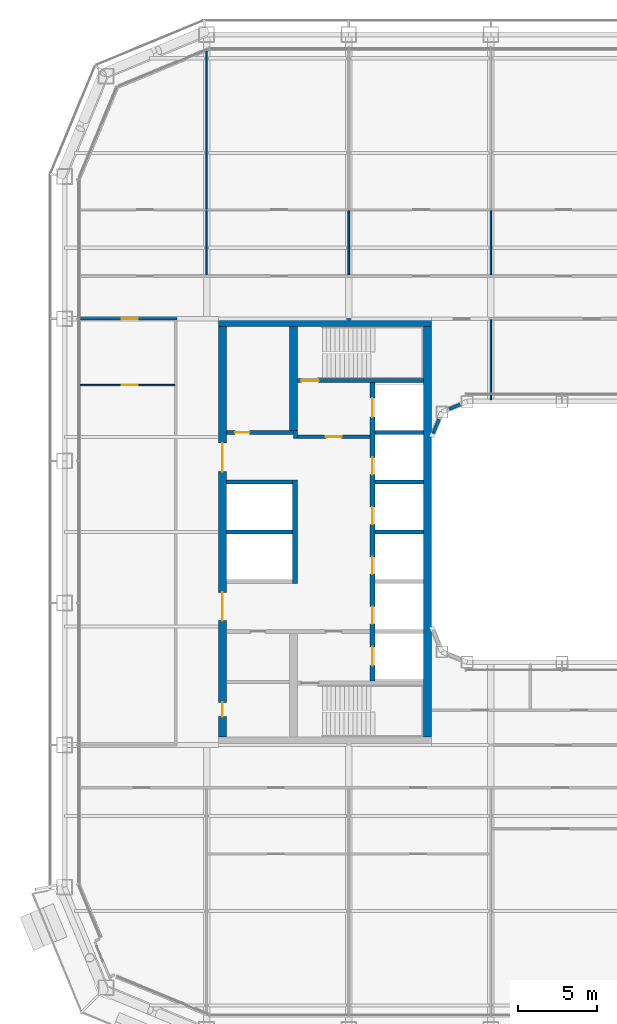
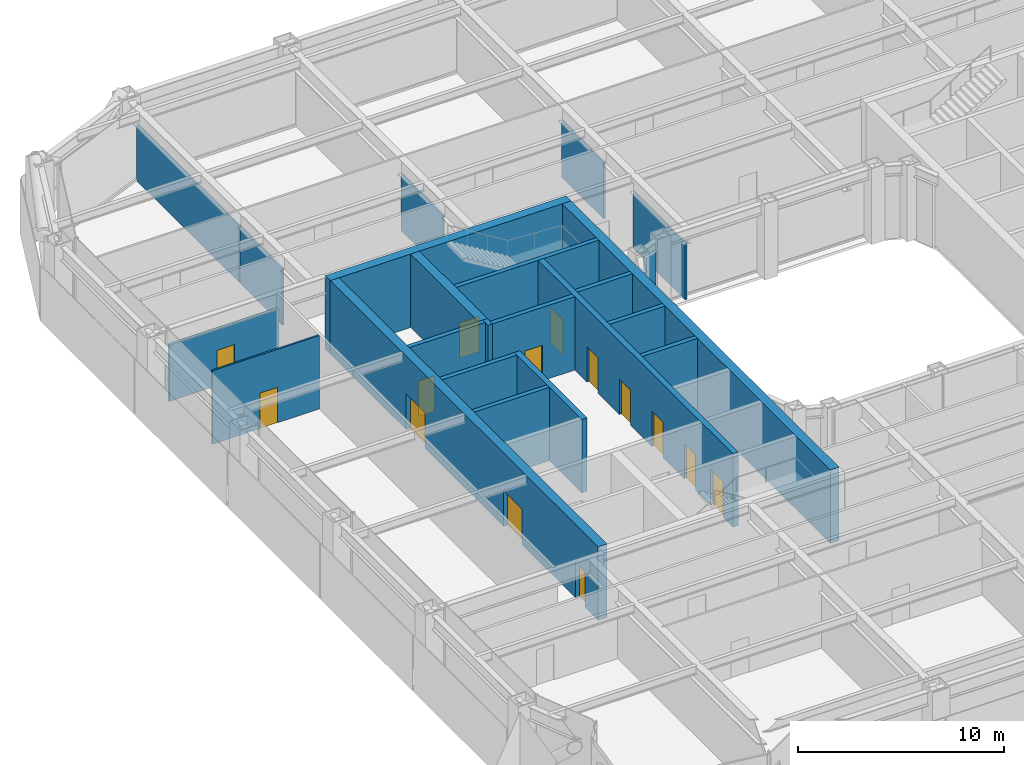
# One storey, part 15 of 27: 24 walls, 14 doors, 14 openings.
"""IFC4 building model written with IfcOpenShell, lengths in metres."""

from ifc_helpers import new_model, si_unit, direction, frame, frame_2d, origin, place, context, subcontext, project, spatial, rectangle, extrude, material, layer, layer_set, type_object, element, fill, save


model = new_model("IFC4")

# Units and contexts
model_context = context("Model", 3, precision=1e-05, world=origin(), true_north=direction((0.0, 1.0)))
body_context = subcontext(model_context, "Body", "Model", "MODEL_VIEW")
ifc_project = project(units=[si_unit("LENGTHUNIT", "METRE"), si_unit("AREAUNIT", "SQUARE_METRE"), si_unit("VOLUMEUNIT", "CUBIC_METRE"), si_unit("PLANEANGLEUNIT", "RADIAN"), si_unit("MASSUNIT", "GRAM", prefix="KILO")], contexts=[model_context])

# Site, building, storey
site_placement = place(None, origin())
site = spatial("IfcSite", under=ifc_project, at=site_placement, CompositionType="ELEMENT")
building_placement = place(site_placement, origin())
building = spatial("IfcBuilding", under=site, at=building_placement, Name="Siwar Civic Tower", CompositionType="ELEMENT")
storey_placement = place(building_placement, frame((0.0, 0.0, 71.699951171875)))
storey = spatial("IfcBuildingStorey", under=building, at=storey_placement, Name="L15", CompositionType="ELEMENT", Elevation=71.699951171875)

# Wall, opening, door
ifc_material_1 = material(Name="Concrete C60/75", Category="concrete")
ifc_layer_1 = layer(ifc_material_1, 0.25)
ifc_layer_set_1 = layer_set([ifc_layer_1], Name="Concrete C60/75")
wall_type_1 = type_object("IfcWallType", Name="CORE-WALL-RC250", PredefinedType="SHEAR", material=ifc_layer_set_1)
wall_1_placement = place(storey_placement, frame((-12.14990234375, 6.02490234375, 0.0), z_axis=(0.0, 0.0, 1.0), x_axis=(-1.0, 0.0, 0.0)))
wall_1 = element("IfcWall", 1, at=wall_1_placement, inside=storey, type_object=wall_type_1, Name="Core wall W", PredefinedType="SHEAR", context=body_context, shape_type="SweptSolid", body=[
    extrude(rectangle(XDim=4.60009765625, YDim=0.25, at=frame_2d((2.300048828125, 0.0))), origin(), (0.0, 0.0, 1.0), 4.35009765625),
])
opening_1_placement = place(wall_1_placement, frame((1.800048828125, 0.0, 0.0)))
opening_1 = element("IfcOpeningElement", 2, at=opening_1_placement, cuts=wall_1, Name="Opening L15-CW01", PredefinedType="OPENING", context=body_context, shape_type="SweptSolid", body=[
    extrude(rectangle(XDim=1.0, YDim=2.10009765625, at=frame_2d((0.5, 1.050048828125))), frame((0.0, 0.135009765625, 0.0), z_axis=(0.0, -1.0, 0.0), x_axis=(1.0, 0.0, 0.0)), (0.0, 0.0, 1.0), 0.27001953125),
])
ifc_material_2 = material(Name="Steel door leaf", Category="steel")
door_type_1 = type_object("IfcDoorType", Name="CORE-DOOR-FD30S", OperationType="SINGLE_SWING_LEFT", PredefinedType="DOOR", material=ifc_material_2)
door_1_placement = place(opening_1_placement, origin())
door_1 = element("IfcDoor", 3, at=door_1_placement, inside=storey, type_object=door_type_1, Name="Firefighting lobby door L15-CW01", OperationType="SINGLE_SWING_LEFT", OverallHeight=2.10009765625, OverallWidth=1.0, PredefinedType="DOOR", context=body_context, shape_type="SweptSolid", body=[
    extrude(rectangle(XDim=1.0, YDim=2.10009765625, at=frame_2d((0.5, 1.050048828125))), frame((0.0, 0.02490234375, 0.0), z_axis=(0.0, -1.0, 0.0), x_axis=(1.0, 0.0, 0.0)), (0.0, 0.0, 1.0), 0.050048828125),
])
fill(opening_1, door_1)

# Wall
wall_2_placement = place(storey_placement, frame((-16.875, 5.89990234375, 0.0), z_axis=(0.0, 0.0, 1.0), x_axis=(0.0, 1.0, 0.0)))
element("IfcWall", 4, at=wall_2_placement, inside=storey, type_object=wall_type_1, Name="Core wall W", PredefinedType="SHEAR", context=body_context, shape_type="SweptSolid", body=[
    extrude(rectangle(XDim=0.525146484375, YDim=0.25, at=frame_2d((0.2626953125, 0.0))), origin(), (0.0, 0.0, 1.0), 4.35009765625),
])

# Wall, opening, door
wall_3_placement = place(storey_placement, frame((-17.0, 6.300048828125, 0.0), z_axis=(0.0, 0.0, 1.0), x_axis=(-1.0, 0.0, 0.0)))
wall_3 = element("IfcWall", 5, at=wall_3_placement, inside=storey, type_object=wall_type_1, Name="Core wall W", PredefinedType="SHEAR", context=body_context, shape_type="SweptSolid", body=[
    extrude(rectangle(XDim=4.25, YDim=0.25, at=frame_2d((2.125, 0.0))), origin(), (0.0, 0.0, 1.0), 4.35009765625),
])
opening_2_placement = place(wall_3_placement, frame((2.800048828125, 0.0, 0.0)))
opening_2 = element("IfcOpeningElement", 6, at=opening_2_placement, cuts=wall_3, Name="Opening L15-CW13", PredefinedType="OPENING", context=body_context, shape_type="SweptSolid", body=[
    extrude(rectangle(XDim=0.89990234375, YDim=2.10009765625, at=frame_2d((0.449951171875, 1.050048828125))), frame((0.0, 0.135009765625, 0.0), z_axis=(0.0, -1.0, 0.0), x_axis=(1.0, 0.0, 0.0)), (0.0, 0.0, 1.0), 0.27001953125),
])
ifc_material_3 = material(Name="Steel door leaf", Category="steel")
door_type_2 = type_object("IfcDoorType", Name="CORE-DOOR-ROOM", OperationType="SINGLE_SWING_LEFT", PredefinedType="DOOR", material=ifc_material_3)
door_2_placement = place(opening_2_placement, origin())
door_2 = element("IfcDoor", 7, at=door_2_placement, inside=storey, type_object=door_type_2, Name="Core room door L15-CW13", OperationType="SINGLE_SWING_RIGHT", OverallHeight=2.10009765625, OverallWidth=0.89990234375, PredefinedType="DOOR", context=body_context, shape_type="SweptSolid", body=[
    extrude(rectangle(XDim=0.89990234375, YDim=2.10009765625, at=frame_2d((0.449951171875, 1.050048828125))), frame((0.0, 0.02490234375, 0.0), z_axis=(0.0, -1.0, 0.0), x_axis=(1.0, 0.0, 0.0)), (0.0, 0.0, 1.0), 0.050048828125),
])
fill(opening_2, door_2)

# Walls
for number, where, z_axis, x_axis, name in (
    (8, (-17.050048828125, 0.0, 0.0), (0.0, 0.0, 1.0), (-1.0, 0.0, 0.0), "Core wall W"),
    (9, (-17.050048828125, 3.14990234375, 0.0), (0.0, 0.0, 1.0), (-1.0, 0.0, 0.0), "Core wall W"),
):
    element("IfcWall", number, at=place(storey_placement, frame(where, z_axis=z_axis, x_axis=x_axis)), inside=storey, type_object=wall_type_1, Name=name, PredefinedType="SHEAR", context=body_context, shape_type="SweptSolid", body=[
        extrude(rectangle(XDim=4.199951171875, YDim=0.25, at=frame_2d((2.10009765625, 0.0))), origin(), (0.0, 0.0, 1.0), 4.35009765625),
    ])
for number, where, z_axis, x_axis, name in (
    (10, (-8.75, 0.0, 0.0), (0.0, 0.0, 1.0), (-1.0, 0.0, 0.0), "Core wall W"),
    (11, (-8.75, 3.14990234375, 0.0), (0.0, 0.0, 1.0), (-1.0, 0.0, 0.0), "Core wall W"),
    (12, (-8.75, 6.300048828125, 0.0), (0.0, 0.0, 1.0), (-1.0, 0.0, 0.0), "Core wall W"),
):
    element("IfcWall", number, at=place(storey_placement, frame(where, z_axis=z_axis, x_axis=x_axis)), inside=storey, type_object=wall_type_1, Name=name, PredefinedType="SHEAR", context=body_context, shape_type="SweptSolid", body=[
        extrude(rectangle(XDim=3.10009765625, YDim=0.25, at=frame_2d((1.550048828125, 0.0))), origin(), (0.0, 0.0, 1.0), 4.35009765625),
    ])

# Wall, opening, door
wall_4_placement = place(storey_placement, frame((-8.75, 9.574951171875, 0.0), z_axis=(0.0, 0.0, 1.0), x_axis=(-1.0, 0.0, 0.0)))
wall_4 = element("IfcWall", 13, at=wall_4_placement, inside=storey, type_object=wall_type_1, Name="Core wall W", PredefinedType="SHEAR", context=body_context, shape_type="SweptSolid", body=[
    extrude(rectangle(XDim=8.0, YDim=0.25, at=frame_2d((4.0, 0.0))), origin(), (0.0, 0.0, 1.0), 4.35009765625),
])
opening_3_placement = place(wall_4_placement, frame((6.64990234375, 0.0, 0.0)))
opening_3 = element("IfcOpeningElement", 14, at=opening_3_placement, cuts=wall_4, Name="Opening L15-CW03", PredefinedType="OPENING", context=body_context, shape_type="SweptSolid", body=[
    extrude(rectangle(XDim=1.10009765625, YDim=2.10009765625, at=frame_2d((0.550048828125, 1.050048828125))), frame((0.0, 0.135009765625, 0.0), z_axis=(0.0, -1.0, 0.0), x_axis=(1.0, 0.0, 0.0)), (0.0, 0.0, 1.0), 0.27001953125),
])
ifc_material_4 = material(Name="Steel door leaf", Category="steel")
door_type_3 = type_object("IfcDoorType", Name="CORE-DOOR-FD60S", OperationType="SINGLE_SWING_LEFT", PredefinedType="DOOR", material=ifc_material_4)
door_3_placement = place(opening_3_placement, origin())
door_3 = element("IfcDoor", 15, at=door_3_placement, inside=storey, type_object=door_type_3, Name="Stair door L15-CW03", OperationType="SINGLE_SWING_RIGHT", OverallHeight=2.10009765625, OverallWidth=1.10009765625, PredefinedType="DOOR", context=body_context, shape_type="SweptSolid", body=[
    extrude(rectangle(XDim=1.10009765625, YDim=2.10009765625, at=frame_2d((0.550048828125, 1.050048828125))), frame((0.0, 0.02490234375, 0.0), z_axis=(0.0, -1.0, 0.0), x_axis=(1.0, 0.0, 0.0)), (0.0, 0.0, 1.0), 0.050048828125),
])
fill(opening_3, door_3)

# Wall, openings, doors
ifc_material_5 = material(Name="Concrete C60/75", Category="concrete")
ifc_layer_2 = layer(ifc_material_5, 0.300048828125)
ifc_layer_set_2 = layer_set([ifc_layer_2], Name="Concrete C60/75")
wall_type_2 = type_object("IfcWallType", Name="CORE-WALL-RC300", PredefinedType="SHEAR", material=ifc_layer_set_2)
wall_5_placement = place(storey_placement, frame((-12.0, -9.449951171875, 0.0), z_axis=(0.0, 0.0, 1.0), x_axis=(0.0, 1.0, 0.0)))
wall_5 = element("IfcWall", 16, at=wall_5_placement, inside=storey, type_object=wall_type_2, Name="Core wall W", PredefinedType="SHEAR", context=body_context, shape_type="SweptSolid", body=[
    extrude(rectangle(XDim=18.89990234375, YDim=0.300048828125, at=frame_2d((9.449951171875, 0.0))), origin(), (0.0, 0.0, 1.0), 4.35009765625),
])
opening_4_placement = place(wall_5_placement, frame((3.625, 0.0, 0.0)))
opening_4 = element("IfcOpeningElement", 17, at=opening_4_placement, cuts=wall_5, Name="Opening L15-CW07", PredefinedType="OPENING", context=body_context, shape_type="SweptSolid", body=[
    extrude(rectangle(XDim=1.10009765625, YDim=2.10009765625, at=frame_2d((0.550048828125, 1.050048828125))), frame((0.0, 0.16015625, 0.0), z_axis=(0.0, -1.0, 0.0), x_axis=(1.0, 0.0, 0.0)), (0.0, 0.0, 1.0), 0.320068359375),
])
opening_5_placement = place(wall_5_placement, frame((6.77490234375, 0.0, 0.0)))
opening_5 = element("IfcOpeningElement", 18, at=opening_5_placement, cuts=wall_5, Name="Opening L15-CW08", PredefinedType="OPENING", context=body_context, shape_type="SweptSolid", body=[
    extrude(rectangle(XDim=1.10009765625, YDim=2.10009765625, at=frame_2d((0.550048828125, 1.050048828125))), frame((0.0, 0.16015625, 0.0), z_axis=(0.0, -1.0, 0.0), x_axis=(1.0, 0.0, 0.0)), (0.0, 0.0, 1.0), 0.320068359375),
])
opening_6_placement = place(wall_5_placement, frame((9.925048828125, 0.0, 0.0)))
opening_6 = element("IfcOpeningElement", 19, at=opening_6_placement, cuts=wall_5, Name="Opening L15-CW09", PredefinedType="OPENING", context=body_context, shape_type="SweptSolid", body=[
    extrude(rectangle(XDim=1.10009765625, YDim=2.10009765625, at=frame_2d((0.550048828125, 1.050048828125))), frame((0.0, 0.16015625, 0.0), z_axis=(0.0, -1.0, 0.0), x_axis=(1.0, 0.0, 0.0)), (0.0, 0.0, 1.0), 0.320068359375),
])
opening_7_placement = place(wall_5_placement, frame((13.074951171875, 0.0, 0.0)))
opening_7 = element("IfcOpeningElement", 20, at=opening_7_placement, cuts=wall_5, Name="Opening L15-CW10", PredefinedType="OPENING", context=body_context, shape_type="SweptSolid", body=[
    extrude(rectangle(XDim=1.10009765625, YDim=2.10009765625, at=frame_2d((0.550048828125, 1.050048828125))), frame((0.0, 0.16015625, 0.0), z_axis=(0.0, -1.0, 0.0), x_axis=(1.0, 0.0, 0.0)), (0.0, 0.0, 1.0), 0.320068359375),
])
opening_8_placement = place(wall_5_placement, frame((16.72509765625, 0.0, 0.0)))
opening_8 = element("IfcOpeningElement", 21, at=opening_8_placement, cuts=wall_5, Name="Opening L15-CW11", PredefinedType="OPENING", context=body_context, shape_type="SweptSolid", body=[
    extrude(rectangle(XDim=1.199951171875, YDim=2.10009765625, at=frame_2d((0.60009765625, 1.050048828125))), frame((0.0, 0.16015625, 0.0), z_axis=(0.0, -1.0, 0.0), x_axis=(1.0, 0.0, 0.0)), (0.0, 0.0, 1.0), 0.320068359375),
])
opening_9_placement = place(wall_5_placement, frame((0.97509765625, 0.0, 0.0)))
opening_9 = element("IfcOpeningElement", 22, at=opening_9_placement, cuts=wall_5, Name="Opening L15-CW12", PredefinedType="OPENING", context=body_context, shape_type="SweptSolid", body=[
    extrude(rectangle(XDim=1.199951171875, YDim=2.10009765625, at=frame_2d((0.60009765625, 1.050048828125))), frame((0.0, 0.16015625, 0.0), z_axis=(0.0, -1.0, 0.0), x_axis=(1.0, 0.0, 0.0)), (0.0, 0.0, 1.0), 0.320068359375),
])
ifc_material_6 = material(Name="Steel door leaf", Category="steel")
door_type_4 = type_object("IfcDoorType", Name="CORE-DOOR-LD", OperationType="DOUBLE_DOOR_SLIDING", PredefinedType="DOOR", material=ifc_material_6)
door_4_placement = place(opening_4_placement, origin())
door_4 = element("IfcDoor", 23, at=door_4_placement, inside=storey, type_object=door_type_4, Name="Landing door LR1 L15-CW07", OperationType="DOUBLE_DOOR_SLIDING", OverallHeight=2.10009765625, OverallWidth=1.10009765625, PredefinedType="DOOR", context=body_context, shape_type="SweptSolid", body=[
    extrude(rectangle(XDim=1.10009765625, YDim=2.10009765625, at=frame_2d((0.550048828125, 1.050048828125))), frame((0.0, 0.02490234375, 0.0), z_axis=(0.0, -1.0, 0.0), x_axis=(1.0, 0.0, 0.0)), (0.0, 0.0, 1.0), 0.050048828125),
])
fill(opening_4, door_4)
door_5_placement = place(opening_5_placement, origin())
door_5 = element("IfcDoor", 24, at=door_5_placement, inside=storey, type_object=door_type_4, Name="Landing door LR2 L15-CW08", OperationType="DOUBLE_DOOR_SLIDING", OverallHeight=2.10009765625, OverallWidth=1.10009765625, PredefinedType="DOOR", context=body_context, shape_type="SweptSolid", body=[
    extrude(rectangle(XDim=1.10009765625, YDim=2.10009765625, at=frame_2d((0.550048828125, 1.050048828125))), frame((0.0, 0.02490234375, 0.0), z_axis=(0.0, -1.0, 0.0), x_axis=(1.0, 0.0, 0.0)), (0.0, 0.0, 1.0), 0.050048828125),
])
fill(opening_5, door_5)
door_6_placement = place(opening_6_placement, origin())
door_6 = element("IfcDoor", 25, at=door_6_placement, inside=storey, type_object=door_type_4, Name="Landing door LR3 L15-CW09", OperationType="DOUBLE_DOOR_SLIDING", OverallHeight=2.10009765625, OverallWidth=1.10009765625, PredefinedType="DOOR", context=body_context, shape_type="SweptSolid", body=[
    extrude(rectangle(XDim=1.10009765625, YDim=2.10009765625, at=frame_2d((0.550048828125, 1.050048828125))), frame((0.0, 0.02490234375, 0.0), z_axis=(0.0, -1.0, 0.0), x_axis=(1.0, 0.0, 0.0)), (0.0, 0.0, 1.0), 0.050048828125),
])
fill(opening_6, door_6)
door_7_placement = place(opening_7_placement, origin())
door_7 = element("IfcDoor", 26, at=door_7_placement, inside=storey, type_object=door_type_4, Name="Landing door LR4 L15-CW10", OperationType="DOUBLE_DOOR_SLIDING", OverallHeight=2.10009765625, OverallWidth=1.10009765625, PredefinedType="DOOR", context=body_context, shape_type="SweptSolid", body=[
    extrude(rectangle(XDim=1.10009765625, YDim=2.10009765625, at=frame_2d((0.550048828125, 1.050048828125))), frame((0.0, 0.02490234375, 0.0), z_axis=(0.0, -1.0, 0.0), x_axis=(1.0, 0.0, 0.0)), (0.0, 0.0, 1.0), 0.050048828125),
])
fill(opening_7, door_7)
ifc_material_7 = material(Name="Steel door leaf", Category="steel")
door_type_5 = type_object("IfcDoorType", Name="CORE-DOOR-LDW", OperationType="DOUBLE_DOOR_SLIDING", PredefinedType="DOOR", material=ifc_material_7)
door_8_placement = place(opening_8_placement, origin())
door_8 = element("IfcDoor", 27, at=door_8_placement, inside=storey, type_object=door_type_5, Name="Landing door FF1 L15-CW11", OperationType="DOUBLE_DOOR_SLIDING", OverallHeight=2.10009765625, OverallWidth=1.199951171875, PredefinedType="DOOR", context=body_context, shape_type="SweptSolid", body=[
    extrude(rectangle(XDim=1.199951171875, YDim=2.10009765625, at=frame_2d((0.60009765625, 1.050048828125))), frame((0.0, 0.02490234375, 0.0), z_axis=(0.0, -1.0, 0.0), x_axis=(1.0, 0.0, 0.0)), (0.0, 0.0, 1.0), 0.050048828125),
])
fill(opening_8, door_8)
door_9_placement = place(opening_9_placement, origin())
door_9 = element("IfcDoor", 28, at=door_9_placement, inside=storey, type_object=door_type_5, Name="Landing door SV1 L15-CW12", OperationType="DOUBLE_DOOR_SLIDING", OverallHeight=2.10009765625, OverallWidth=1.199951171875, PredefinedType="DOOR", context=body_context, shape_type="SweptSolid", body=[
    extrude(rectangle(XDim=1.199951171875, YDim=2.10009765625, at=frame_2d((0.60009765625, 1.050048828125))), frame((0.0, 0.02490234375, 0.0), z_axis=(0.0, -1.0, 0.0), x_axis=(1.0, 0.0, 0.0)), (0.0, 0.0, 1.0), 0.050048828125),
])
fill(opening_9, door_9)

# Wall
wall_6_placement = place(storey_placement, frame((-16.89990234375, -3.27490234375, 0.0), z_axis=(0.0, 0.0, 1.0), x_axis=(0.0, 1.0, 0.0)))
element("IfcWall", 29, at=wall_6_placement, inside=storey, type_object=wall_type_2, Name="Core wall W", PredefinedType="SHEAR", context=body_context, shape_type="SweptSolid", body=[
    extrude(rectangle(XDim=6.5498046875, YDim=0.300048828125, at=frame_2d((3.27490234375, 0.0))), origin(), (0.0, 0.0, 1.0), 4.35009765625),
])

# Wall, openings, doors
ifc_material_8 = material(Name="Concrete C60/75", Category="concrete")
ifc_layer_3 = layer(ifc_material_8, 0.5)
ifc_layer_set_3 = layer_set([ifc_layer_3], Name="Concrete C60/75")
wall_type_3 = type_object("IfcWallType", Name="CORE-WALL-RC500", PredefinedType="SHEAR", material=ifc_layer_set_3)
wall_7_placement = place(storey_placement, frame((-21.5, -13.0, 0.0), z_axis=(0.0, 0.0, 1.0), x_axis=(0.0, 1.0, 0.0)))
wall_7 = element("IfcWall", 30, at=wall_7_placement, inside=storey, type_object=wall_type_3, Name="Core wall W", PredefinedType="SHEAR", context=body_context, shape_type="SweptSolid", body=[
    extrude(rectangle(XDim=26.0, YDim=0.5, at=frame_2d((13.0, 0.0))), origin(), (0.0, 0.0, 1.0), 4.35009765625),
])
opening_10_placement = place(wall_7_placement, frame((16.824951171875, 0.0, 0.0)))
opening_10 = element("IfcOpeningElement", 31, at=opening_10_placement, cuts=wall_7, Name="Opening L15-CW05", PredefinedType="OPENING", context=body_context, shape_type="SweptSolid", body=[
    extrude(rectangle(XDim=1.800048828125, YDim=2.10009765625, at=frame_2d((0.89990234375, 1.050048828125))), frame((0.0, 0.260009765625, 0.0), z_axis=(0.0, -1.0, 0.0), x_axis=(1.0, 0.0, 0.0)), (0.0, 0.0, 1.0), 0.52001953125),
])
opening_11_placement = place(wall_7_placement, frame((7.375, 0.0, 0.0)))
opening_11 = element("IfcOpeningElement", 32, at=opening_11_placement, cuts=wall_7, Name="Opening L15-CW06", PredefinedType="OPENING", context=body_context, shape_type="SweptSolid", body=[
    extrude(rectangle(XDim=1.800048828125, YDim=2.10009765625, at=frame_2d((0.89990234375, 1.050048828125))), frame((0.0, 0.260009765625, 0.0), z_axis=(0.0, -1.0, 0.0), x_axis=(1.0, 0.0, 0.0)), (0.0, 0.0, 1.0), 0.52001953125),
])
opening_12_placement = place(wall_7_placement, frame((1.300048828125, 0.0, 0.0)))
opening_12 = element("IfcOpeningElement", 33, at=opening_12_placement, cuts=wall_7, Name="Opening L15-CW15", PredefinedType="OPENING", context=body_context, shape_type="SweptSolid", body=[
    extrude(rectangle(XDim=0.89990234375, YDim=2.10009765625, at=frame_2d((0.449951171875, 1.050048828125))), frame((0.0, 0.260009765625, 0.0), z_axis=(0.0, -1.0, 0.0), x_axis=(1.0, 0.0, 0.0)), (0.0, 0.0, 1.0), 0.52001953125),
])
ifc_material_9 = material(Name="Steel door leaf", Category="steel")
door_type_6 = type_object("IfcDoorType", Name="CORE-DOOR-PORT", OperationType="DOUBLE_DOOR_DOUBLE_SWING", PredefinedType="DOOR", material=ifc_material_9)
door_10_placement = place(opening_10_placement, origin())
door_10 = element("IfcDoor", 34, at=door_10_placement, inside=storey, type_object=door_type_6, Name="Core entrance door L15-CW05", OperationType="DOUBLE_DOOR_DOUBLE_SWING", OverallHeight=2.10009765625, OverallWidth=1.800048828125, PredefinedType="DOOR", context=body_context, shape_type="SweptSolid", body=[
    extrude(rectangle(XDim=1.800048828125, YDim=2.10009765625, at=frame_2d((0.89990234375, 1.050048828125))), frame((0.0, 0.02490234375, 0.0), z_axis=(0.0, -1.0, 0.0), x_axis=(1.0, 0.0, 0.0)), (0.0, 0.0, 1.0), 0.050048828125),
])
fill(opening_10, door_10)
door_11_placement = place(opening_11_placement, origin())
door_11 = element("IfcDoor", 35, at=door_11_placement, inside=storey, type_object=door_type_6, Name="Core entrance door L15-CW06", OperationType="DOUBLE_DOOR_DOUBLE_SWING", OverallHeight=2.10009765625, OverallWidth=1.800048828125, PredefinedType="DOOR", context=body_context, shape_type="SweptSolid", body=[
    extrude(rectangle(XDim=1.800048828125, YDim=2.10009765625, at=frame_2d((0.89990234375, 1.050048828125))), frame((0.0, 0.02490234375, 0.0), z_axis=(0.0, -1.0, 0.0), x_axis=(1.0, 0.0, 0.0)), (0.0, 0.0, 1.0), 0.050048828125),
])
fill(opening_11, door_11)
door_12_placement = place(opening_12_placement, origin())
door_12 = element("IfcDoor", 36, at=door_12_placement, inside=storey, type_object=door_type_2, Name="Core room door L15-CW15", OperationType="SINGLE_SWING_RIGHT", OverallHeight=2.10009765625, OverallWidth=0.89990234375, PredefinedType="DOOR", context=body_context, shape_type="SweptSolid", body=[
    extrude(rectangle(XDim=0.89990234375, YDim=2.10009765625, at=frame_2d((0.449951171875, 1.050048828125))), frame((0.0, 0.02490234375, 0.0), z_axis=(0.0, -1.0, 0.0), x_axis=(1.0, 0.0, 0.0)), (0.0, 0.0, 1.0), 0.050048828125),
])
fill(opening_12, door_12)

# Walls
wall_8_placement = place(storey_placement, frame((-17.0, 6.425048828125, 0.0), z_axis=(0.0, 0.0, 1.0), x_axis=(0.0, 1.0, 0.0)))
element("IfcWall", 37, at=wall_8_placement, inside=storey, type_object=wall_type_3, Name="Core wall W", PredefinedType="SHEAR", context=body_context, shape_type="SweptSolid", body=[
    extrude(rectangle(XDim=6.574951171875, YDim=0.5, at=frame_2d((3.28759765625, 0.0))), origin(), (0.0, 0.0, 1.0), 4.35009765625),
])
wall_9_placement = place(storey_placement, frame((-8.25, 13.25, 0.0), z_axis=(0.0, 0.0, 1.0), x_axis=(-1.0, 0.0, 0.0)))
element("IfcWall", 38, at=wall_9_placement, inside=storey, type_object=wall_type_3, Name="Core wall W", PredefinedType="SHEAR", context=body_context, shape_type="SweptSolid", body=[
    extrude(rectangle(XDim=13.5, YDim=0.5, at=frame_2d((6.75, 0.0))), origin(), (0.0, 0.0, 1.0), 4.35009765625),
])
ifc_material_10 = material(Name="Concrete C60/75", Category="concrete")
ifc_layer_4 = layer(ifc_material_10, 0.5)
ifc_layer_set_4 = layer_set([ifc_layer_4], Name="Concrete C60/75")
wall_type_4 = type_object("IfcWallType", Name="CORE-WALL-RC500-EXT", PredefinedType="SHEAR", material=ifc_layer_set_4)
wall_10_placement = place(storey_placement, frame((-8.5, -13.0, 0.0), z_axis=(0.0, 0.0, 1.0), x_axis=(0.0, 1.0, 0.0)))
element("IfcWall", 39, at=wall_10_placement, inside=storey, type_object=wall_type_4, Name="Core wall W", PredefinedType="SHEAR", context=body_context, shape_type="SweptSolid", body=[
    extrude(rectangle(XDim=26.0, YDim=0.5, at=frame_2d((13.0, 0.0))), origin(), (0.0, 0.0, 1.0), 4.35009765625),
])

# Wall, opening, door
ifc_material_11 = material(Name="Gypsum board on steel studs", Category="steel")
ifc_layer_5 = layer(ifc_material_11, 0.14990234375)
ifc_layer_set_5 = layer_set([ifc_layer_5], Name="Gypsum board on steel studs")
wall_type_5 = type_object("IfcWallType", Name="CORRIDOR PARTITION 150 EI 30", PredefinedType="PARTITIONING", material=ifc_layer_set_5)
wall_11_placement = place(storey_placement, frame((-30.510009765625, 13.5, 0.0), z_axis=(0.0, 0.0, 1.0), x_axis=(1.0, 0.0, 0.0)))
wall_11 = element("IfcWall", 40, at=wall_11_placement, inside=storey, type_object=wall_type_5, Name="L15/wall/P11", PredefinedType="PARTITIONING", context=body_context, shape_type="SweptSolid", body=[
    extrude(rectangle(XDim=6.135009765625, YDim=0.14990234375, at=frame_2d((3.0673828125, 0.0))), origin(), (0.0, 0.0, 1.0), 3.35009765625),
])
opening_13_placement = place(wall_11_placement, frame((2.64990234375, 0.0, 0.0)))
opening_13 = element("IfcOpeningElement", 41, at=opening_13_placement, cuts=wall_11, Name="Opening D1", PredefinedType="OPENING", context=body_context, shape_type="SweptSolid", body=[
    extrude(rectangle(XDim=1.0, YDim=2.10009765625, at=frame_2d((0.5, 1.050048828125))), frame((0.0, 0.0849609375, 0.0), z_axis=(0.0, -1.0, 0.0), x_axis=(1.0, 0.0, 0.0)), (0.0, 0.0, 1.0), 0.169921875),
])
ifc_material_12 = material(Name="Timber, painted", Category="wood")
door_type_7 = type_object("IfcDoorType", Name="DOOR 1000 X 2100 FD30", OperationType="SINGLE_SWING_LEFT", PredefinedType="DOOR", material=ifc_material_12)
door_13_placement = place(opening_13_placement, origin())
door_13 = element("IfcDoor", 42, at=door_13_placement, inside=storey, type_object=door_type_7, Name="L15-D26", OperationType="SINGLE_SWING_RIGHT", OverallHeight=2.10009765625, OverallWidth=1.0, PredefinedType="DOOR", context=body_context, shape_type="SweptSolid", body=[
    extrude(rectangle(XDim=1.0, YDim=2.10009765625, at=frame_2d((0.5, 1.050048828125))), frame((0.0, 0.02490234375, 0.0), z_axis=(0.0, -1.0, 0.0), x_axis=(1.0, 0.0, 0.0)), (0.0, 0.0, 1.0), 0.050048828125),
])
fill(opening_13, door_13)

# Walls
ifc_material_13 = material(Name="Aluminium clad insulated panel", Category="aluminium")
ifc_layer_6 = layer(ifc_material_13, 0.199951171875)
ifc_layer_set_6 = layer_set([ifc_layer_6], Name="Aluminium clad insulated panel")
wall_type_6 = type_object("IfcWallType", Name="ENV-WALL-WELL", PredefinedType="STANDARD", material=ifc_layer_set_6)
wall_12_placement = place(storey_placement, frame((-6.45263671875, 8.0625, 0.0), z_axis=(0.0, 0.0, 1.0), x_axis=(-0.923940677943, -0.382535780864, 0.0)))
element("IfcWall", 43, at=wall_12_placement, inside=storey, type_object=wall_type_6, Name="Light well corner wall NW1", PredefinedType="STANDARD", context=body_context, shape_type="SweptSolid", body=[
    extrude(rectangle(XDim=0.7421875, YDim=0.199951171875, at=frame_2d((0.37109375, 0.0))), origin(), (0.0, 0.0, 1.0), 3.72998046875),
])
wall_13_placement = place(storey_placement, frame((-7.778564453125, 7.138427734375, 0.0), z_axis=(0.0, 0.0, 1.0), x_axis=(-0.382549378284, -0.923935048136, 0.0)))
element("IfcWall", 44, at=wall_13_placement, inside=storey, type_object=wall_type_6, Name="Light well corner wall NW2", PredefinedType="STANDARD", context=body_context, shape_type="SweptSolid", body=[
    extrude(rectangle(XDim=0.982177734375, YDim=0.199951171875, at=frame_2d((0.4912109375, 0.0))), origin(), (0.0, 0.0, 1.0), 3.72998046875),
])

# Wall, opening, door
ifc_material_14 = material(Name="Gypsum board on steel studs", Category="steel")
ifc_layer_7 = layer(ifc_material_14, 0.10009765625)
ifc_layer_set_7 = layer_set([ifc_layer_7], Name="Gypsum board on steel studs")
wall_type_7 = type_object("IfcWallType", Name="PARTITION 100 GYPSUM", PredefinedType="PARTITIONING", material=ifc_layer_set_7)
wall_14_placement = place(storey_placement, frame((-30.510009765625, 9.300048828125, 0.0), z_axis=(0.0, 0.0, 1.0), x_axis=(1.0, 0.0, 0.0)))
wall_14 = element("IfcWall", 45, at=wall_14_placement, inside=storey, type_object=wall_type_7, Name="L15/wall/P10", PredefinedType="PARTITIONING", context=body_context, shape_type="SweptSolid", body=[
    extrude(rectangle(XDim=5.985107421875, YDim=0.10009765625, at=frame_2d((2.99267578125, 0.0))), origin(), (0.0, 0.0, 1.0), 4.35009765625),
])
opening_14_placement = place(wall_14_placement, frame((2.64990234375, 0.0, 0.0)))
opening_14 = element("IfcOpeningElement", 46, at=opening_14_placement, cuts=wall_14, Name="Opening D2", PredefinedType="OPENING", context=body_context, shape_type="SweptSolid", body=[
    extrude(rectangle(XDim=1.0, YDim=2.10009765625, at=frame_2d((0.5, 1.050048828125))), frame((0.0, 0.06005859375, 0.0), z_axis=(0.0, -1.0, 0.0), x_axis=(1.0, 0.0, 0.0)), (0.0, 0.0, 1.0), 0.1201171875),
])
ifc_material_15 = material(Name="Timber, painted", Category="wood")
door_type_8 = type_object("IfcDoorType", Name="DOOR 1000 X 2100", OperationType="SINGLE_SWING_LEFT", PredefinedType="DOOR", material=ifc_material_15)
door_14_placement = place(opening_14_placement, origin())
door_14 = element("IfcDoor", 47, at=door_14_placement, inside=storey, type_object=door_type_8, Name="L15-D27", OperationType="SINGLE_SWING_LEFT", OverallHeight=2.10009765625, OverallWidth=1.0, PredefinedType="DOOR", context=body_context, shape_type="SweptSolid", body=[
    extrude(rectangle(XDim=1.0, YDim=2.10009765625, at=frame_2d((0.5, 1.050048828125))), frame((0.0, 0.02490234375, 0.0), z_axis=(0.0, -1.0, 0.0), x_axis=(1.0, 0.0, 0.0)), (0.0, 0.0, 1.0), 0.050048828125),
])
fill(opening_14, door_14)

# Walls
wall_15_placement = place(storey_placement, frame((-22.5, 16.27490234375, 0.0), z_axis=(0.0, 0.0, 1.0), x_axis=(0.0, 1.0, 0.0)))
element("IfcWall", 48, at=wall_15_placement, inside=storey, type_object=wall_type_7, Name="L15/wall/P18", PredefinedType="PARTITIONING", context=body_context, shape_type="SweptSolid", body=[
    extrude(rectangle(XDim=4.0751953125, YDim=0.10009765625, at=frame_2d((2.03759765625, 0.0))), origin(), (0.0, 0.0, 1.0), 3.35009765625),
])
wall_16_placement = place(storey_placement, frame((-22.5, 20.449951171875, 0.0), z_axis=(0.0, 0.0, 1.0), x_axis=(0.0, 1.0, 0.0)))
element("IfcWall", 49, at=wall_16_placement, inside=storey, type_object=wall_type_7, Name="L15/wall/P19", PredefinedType="PARTITIONING", context=body_context, shape_type="SweptSolid", body=[
    extrude(rectangle(XDim=9.97802734375, YDim=0.10009765625, at=frame_2d((4.989013671875, 0.0))), origin(), (0.0, 0.0, 1.0), 3.35009765625),
])
wall_17_placement = place(storey_placement, frame((-13.5, 16.27490234375, 0.0), z_axis=(0.0, 0.0, 1.0), x_axis=(0.0, 1.0, 0.0)))
element("IfcWall", 50, at=wall_17_placement, inside=storey, type_object=wall_type_7, Name="L15/wall/P22", PredefinedType="PARTITIONING", context=body_context, shape_type="SweptSolid", body=[
    extrude(rectangle(XDim=4.0751953125, YDim=0.10009765625, at=frame_2d((2.03759765625, 0.0))), origin(), (0.0, 0.0, 1.0), 3.35009765625),
])
wall_18_placement = place(storey_placement, frame((-4.5, 8.3701171875, 0.0), z_axis=(0.0, 0.0, 1.0), x_axis=(0.0, 1.0, 0.0)))
element("IfcWall", 51, at=wall_18_placement, inside=storey, type_object=wall_type_7, Name="L15/wall/P25", PredefinedType="PARTITIONING", context=body_context, shape_type="SweptSolid", body=[
    extrude(rectangle(XDim=5.054931640625, YDim=0.10009765625, at=frame_2d((2.52734375, 0.0))), origin(), (0.0, 0.0, 1.0), 3.35009765625),
])
wall_19_placement = place(storey_placement, frame((-4.5, 16.27490234375, 0.0), z_axis=(0.0, 0.0, 1.0), x_axis=(0.0, 1.0, 0.0)))
element("IfcWall", 52, at=wall_19_placement, inside=storey, type_object=wall_type_7, Name="L15/wall/P26", PredefinedType="PARTITIONING", context=body_context, shape_type="SweptSolid", body=[
    extrude(rectangle(XDim=4.0751953125, YDim=0.10009765625, at=frame_2d((2.03759765625, 0.0))), origin(), (0.0, 0.0, 1.0), 3.35009765625),
])

save(model, "model.ifc")
